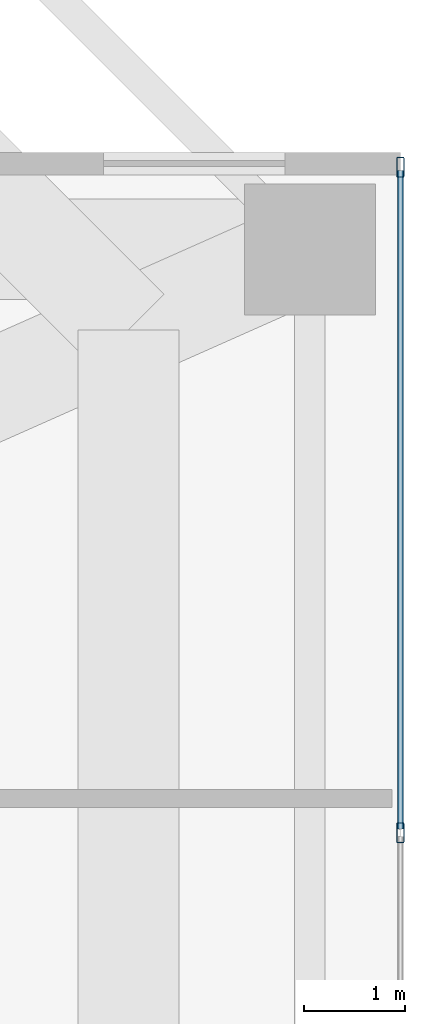
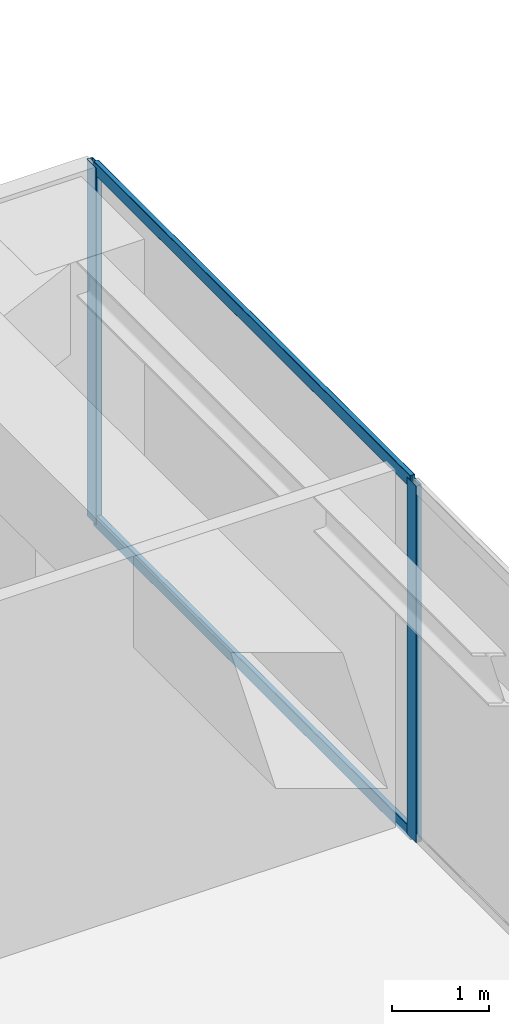
# One storey, part 25 of 35: 4 members, 1 element without a shape of its own.
"""IFC4 building model written with IfcOpenShell, lengths in metres."""

from ifc_helpers import new_model, si_unit, direction, frame, origin, origin_2d, place, context, subcontext, project, spatial, hollow_rectangle, extrude, source, transform, mapped, material, layer, layer_set, material_profile, profile_set, type_object, element, aggregate, save


model = new_model("IFC4")

# Units and contexts
model_context = context("Model", 3, precision=1e-05, world=origin(), true_north=direction((0.0, 1.0)))
body_context = subcontext(model_context, "Body", "Model", "MODEL_VIEW")
ifc_project = project(units=[si_unit("LENGTHUNIT", "METRE"), si_unit("AREAUNIT", "SQUARE_METRE"), si_unit("VOLUMEUNIT", "CUBIC_METRE"), si_unit("PLANEANGLEUNIT", "RADIAN"), si_unit("MASSUNIT", "GRAM", prefix="KILO")], contexts=[model_context])

# Site, building, storey
site_placement = place(None, origin())
site = spatial("IfcSite", under=ifc_project, at=site_placement, CompositionType="ELEMENT")
building_placement = place(site_placement, origin())
building = spatial("IfcBuilding", under=site, at=building_placement, Name="Serunith Strait Residences", CompositionType="ELEMENT")
storey_placement = place(building_placement, frame((0.0, 0.0, 115.199951171875)))
storey = spatial("IfcBuildingStorey", under=building, at=storey_placement, Name="L28", CompositionType="ELEMENT", Elevation=115.199951171875)

# Curtain wall, members
ifc_material = material(Name="Pale-Champagne Anodised Aluminium", Category="aluminium")
ifc_layer = layer(ifc_material, 0.199951171875, Name="Pale-Champagne Anodised Aluminium")
ifc_layer_set = layer_set([ifc_layer], Name="Pale-Champagne Anodised Aluminium")
curtain_wall_type = type_object("IfcCurtainWallType", Name="CW-SYS1", PredefinedType="NOTDEFINED", material=ifc_layer_set)
curtain_wall_placement = place(storey_placement, origin())
curtain_wall = element("IfcCurtainWall", 1, at=curtain_wall_placement, inside=storey, type_object=curtain_wall_type, Name="L28 E Unitised Fritted Curtain Wall", PredefinedType="NOTDEFINED")
ifc_material_profile_1 = material_profile(ifc_material, hollow_rectangle(XDim=0.06005859375, YDim=0.159912109375, WallThickness=0.00341796875, InnerFilletRadius=0.00537109375, OuterFilletRadius=0.0087890625, at=origin_2d()), Name="ALU 160x60x3.5")
ifc_profile_set_1 = profile_set([ifc_material_profile_1], Name="Pale-Champagne Anodised Aluminium")
member_type_1 = type_object("IfcMemberType", Name="CW-SYS1-TRAN", PredefinedType="USERDEFINED", material=ifc_profile_set_1)
shared_shape_1 = source(origin(), body_context, "Body", "SweptSolid", [
    extrude(hollow_rectangle(XDim=0.06005859375, YDim=0.159912109375, WallThickness=0.00341796875, InnerFilletRadius=0.00537109375, OuterFilletRadius=0.0087890625, at=origin_2d()), origin(), (0.0, 0.0, 1.0), 6.534912109375),
])
member_1_placement = place(storey_placement, frame((58.800048828125, 35.195068359375, 0.030029296875), z_axis=(0.0, 1.0, 0.0), x_axis=(-1.0, 0.0, 0.0)))
member_1 = element("IfcMember", 2, at=member_1_placement, type_object=member_type_1, Name="CW-1 transom 5.1", ObjectType="TRANSOM", PredefinedType="USERDEFINED", context=body_context, shape_type="MappedRepresentation", body=[
    mapped(shared_shape_1, transform((0.0, 0.0, 0.0), scale=1.0)),
])
member_2_placement = place(storey_placement, frame((58.800048828125, 35.195068359375, 4.465087890625), z_axis=(0.0, 1.0, 0.0), x_axis=(-1.0, 0.0, 0.0)))
member_2 = element("IfcMember", 3, at=member_2_placement, type_object=member_type_1, Name="CW-1 transom 5.2", ObjectType="TRANSOM", PredefinedType="USERDEFINED", context=body_context, shape_type="MappedRepresentation", body=[
    mapped(shared_shape_1, transform((0.0, 0.0, 0.0), scale=1.0)),
])
ifc_material_profile_2 = material_profile(ifc_material, hollow_rectangle(XDim=0.070068359375, YDim=0.199951171875, WallThickness=0.00390625, InnerFilletRadius=0.006103515625, OuterFilletRadius=0.010009765625, at=origin_2d()), Name="ALU 200x70x4")
ifc_profile_set_2 = profile_set([ifc_material_profile_2], Name="Pale-Champagne Anodised Aluminium")
member_type_2 = type_object("IfcMemberType", Name="CW-SYS1-MULL", PredefinedType="MULLION", material=ifc_profile_set_2)
shared_shape_2 = source(origin(), body_context, "Body", "SweptSolid", [
    extrude(hollow_rectangle(XDim=0.070068359375, YDim=0.199951171875, WallThickness=0.00390625, InnerFilletRadius=0.006103515625, OuterFilletRadius=0.010009765625, at=origin_2d()), origin(), (0.0, 0.0, 1.0), 4.4951171875),
])
member_3_placement = place(storey_placement, frame((58.800048828125, 35.159912109375, 0.0), z_axis=(0.0, 0.0, 1.0), x_axis=(-1.0, 0.0, 0.0)))
member_3 = element("IfcMember", 4, at=member_3_placement, type_object=member_type_2, Name="CW-1 mullion 5", PredefinedType="MULLION", context=body_context, shape_type="MappedRepresentation", body=[
    mapped(shared_shape_2, transform((0.0, 0.0, 0.0), scale=1.0)),
])
member_4_placement = place(storey_placement, frame((58.800048828125, 41.764892578125, 0.0), z_axis=(0.0, 0.0, 1.0), x_axis=(-1.0, 0.0, 0.0)))
member_4 = element("IfcMember", 5, at=member_4_placement, type_object=member_type_2, Name="CW-1 mullion 6", PredefinedType="MULLION", context=body_context, shape_type="MappedRepresentation", body=[
    mapped(shared_shape_2, transform((0.0, 0.0, 0.0), scale=1.0)),
])
aggregate(curtain_wall, [member_3, member_4, member_1, member_2])

save(model, "model.ifc")
